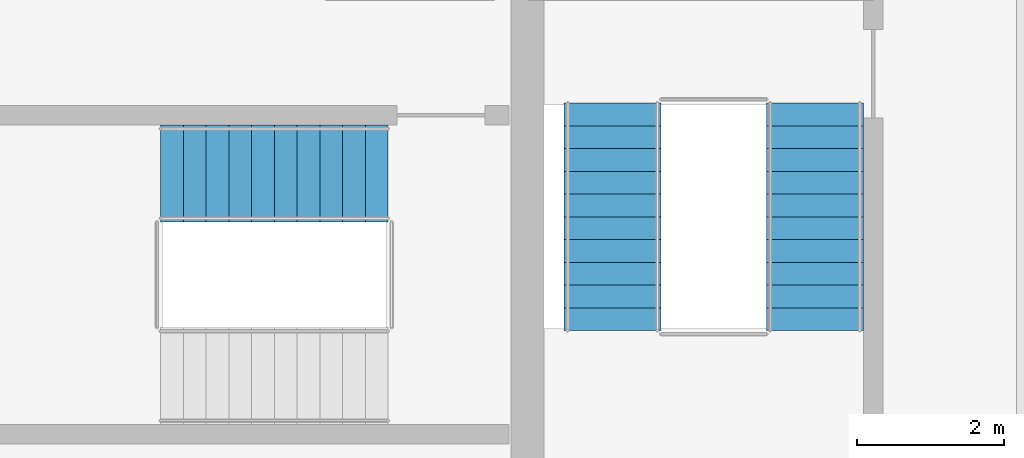
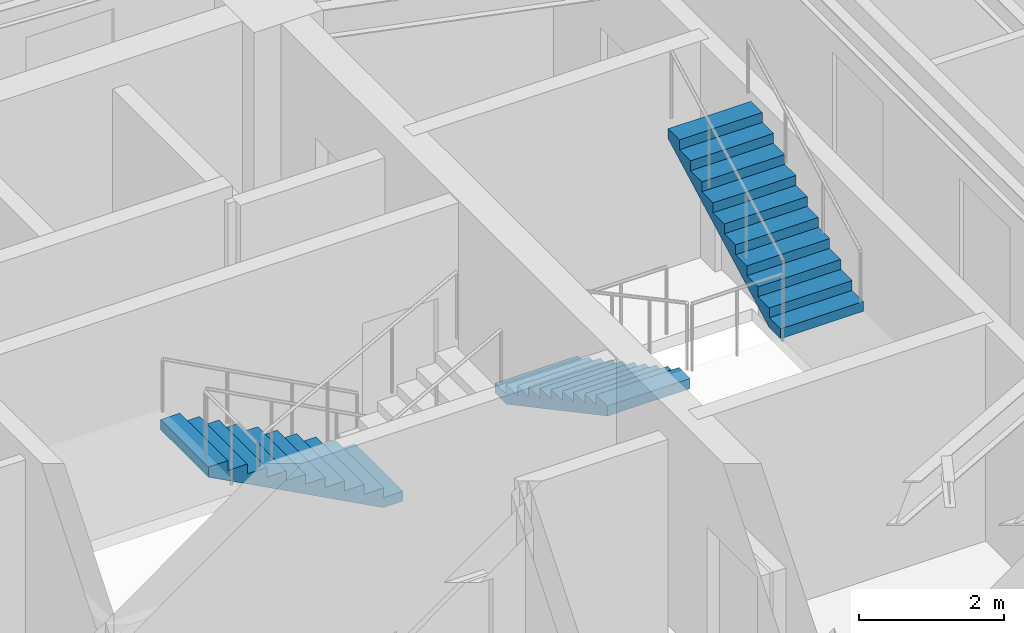
# One storey, part 11 of 13: 3 stair flights, 2 elements without a shape of their own.
"""IFC4 building model written with IfcOpenShell, lengths in metres."""

import ifcopenshell
import ifcopenshell.guid

model = None  # the IFC model being written
_history = None  # IfcOwnerHistory: only IFC2X3 demands one
_inside = {}  # id of a spatial element -> (the spatial element, [elements in it])
_under = {}  # id of a project, library or spatial element -> (it, [spatial elements below it])
_declared = {}  # id of a project -> (the project, [libraries it declares])
_typed = {}  # id of a type object -> (the type object, [elements of that type])
_made_of = {}  # id of a material, layer set ... -> (it, [elements and type objects made of it])


def new_model(schema):
    """Start an empty IFC model of exactly this schema.

    Asked for "IFC4X3", IfcOpenShell would pick the latest addendum, in which some entities
    have other attributes; the version numbers below select the first issue.
    IFC2X3 requires an IfcOwnerHistory on every rooted entity: one is made here for all.
    """
    global model, _history
    if schema == "IFC4X3":
        model = ifcopenshell.file(schema_version=(4, 3, 0, 0))
    else:
        model = ifcopenshell.file(schema=schema)
    _inside.clear()
    _under.clear()
    _declared.clear()
    _typed.clear()
    _made_of.clear()
    _history = None
    if model.schema == "IFC2X3":
        org = make("IfcOrganization", Name="unknown")
        user = make(
            "IfcPersonAndOrganization",
            ThePerson=make("IfcPerson", FamilyName="unknown"),
            TheOrganization=org,
        )
        app = make(
            "IfcApplication",
            ApplicationDeveloper=org,
            Version="unknown",
            ApplicationFullName="unknown",
            ApplicationIdentifier="unknown",
        )
        _history = make(
            "IfcOwnerHistory",
            OwningUser=user,
            OwningApplication=app,
            ChangeAction="ADDED",
            CreationDate=0,
        )
    return model


def make(cls, **values):
    """One entity of the class cls with the attributes given. An attribute that is None is left unset."""
    return model.create_entity(
        cls, **{name: value for name, value in values.items() if value is not None}
    )


def rooted(cls, **values):
    """An entity with a GlobalId (a new one), such as an element, a storey or a relation."""
    return make(cls, GlobalId=ifcopenshell.guid.new(), OwnerHistory=_history, **values)


def si_unit(unit_type, name, prefix=None):
    """IfcSIUnit, for example si_unit("LENGTHUNIT", "METRE", prefix="MILLI")."""
    return make("IfcSIUnit", UnitType=unit_type, Prefix=prefix, Name=name)


def assignment(units):
    """IfcUnitAssignment: the units of a project."""
    return None if units is None else make("IfcUnitAssignment", Units=units)


def point(xyz):
    """IfcCartesianPoint."""
    return None if xyz is None else make("IfcCartesianPoint", Coordinates=xyz)


def direction(xyz):
    """IfcDirection."""
    return None if xyz is None else make("IfcDirection", DirectionRatios=xyz)


def frame(location, z_axis=None, x_axis=None):
    """IfcAxis2Placement3D, a coordinate frame: its origin and axes. An axis left out is left unset."""
    return make(
        "IfcAxis2Placement3D",
        Location=point(location),
        Axis=direction(z_axis),
        RefDirection=direction(x_axis),
    )


def origin():
    """The frame at (0, 0, 0) with its axes left unset."""
    return frame((0.0, 0.0, 0.0))


def place(relative_to, where):
    """IfcLocalPlacement: puts the frame where relative to a parent placement (None: the world)."""
    return make(
        "IfcLocalPlacement", PlacementRelTo=relative_to, RelativePlacement=where
    )


def context(
    kind, dimensions, precision=None, world=None, true_north=None, identifier=None
):
    """IfcGeometricRepresentationContext, for example the 3D "Model" context."""
    return make(
        "IfcGeometricRepresentationContext",
        ContextIdentifier=identifier,
        ContextType=kind,
        CoordinateSpaceDimension=dimensions,
        Precision=precision,
        WorldCoordinateSystem=world,
        TrueNorth=true_north,
    )


def subcontext(parent, identifier, kind, view, scale=None):
    """IfcGeometricRepresentationSubContext, for example "Body" below "Model"."""
    return make(
        "IfcGeometricRepresentationSubContext",
        ContextIdentifier=identifier,
        ContextType=kind,
        ParentContext=parent,
        TargetScale=scale,
        TargetView=view,
    )


def project(units=None, contexts=None):
    """IfcProject with its units and contexts."""
    return rooted(
        "IfcProject",
        Name="project",
        RepresentationContexts=contexts,
        UnitsInContext=assignment(units),
    )


def spatial(cls, under=None, at=None, **own):
    """A site, building, storey or space (cls), placed at a placement, below another one or the project."""
    s = rooted(cls, ObjectPlacement=at, **own)
    if under is not None:
        _under.setdefault(under.id(), (under, []))[1].append(s)
    return s


def polyline(points):
    """IfcPolyline through the points."""
    return make("IfcPolyline", Points=[point(p) for p in points])


def outline(outer, holes=None, kind="AREA"):
    """IfcArbitraryClosedProfileDef: a profile drawn as a closed curve; with holes, ...WithVoids."""
    if holes is None:
        return make("IfcArbitraryClosedProfileDef", ProfileType=kind, OuterCurve=outer)
    return make(
        "IfcArbitraryProfileDefWithVoids",
        ProfileType=kind,
        OuterCurve=outer,
        InnerCurves=holes,
    )


def extrude(swept, where, along, depth):
    """IfcExtrudedAreaSolid: the profile swept, set in the frame where, extruded along a direction by depth."""
    return make(
        "IfcExtrudedAreaSolid",
        SweptArea=swept,
        Position=where,
        ExtrudedDirection=direction(along),
        Depth=depth,
    )


def shape(context_of_items, identifier, shape_type, items):
    """IfcShapeRepresentation: the items that make up one representation, for example the "Body"."""
    return make(
        "IfcShapeRepresentation",
        ContextOfItems=context_of_items,
        RepresentationIdentifier=identifier,
        RepresentationType=shape_type,
        Items=items,
    )


def material(Name=None, Category=None):
    """IfcMaterial."""
    return make("IfcMaterial", Name=Name, Category=Category)


def made_of(thing, what):
    """Note that an element or type object is made of a material, layer set ...; save() writes the relation."""
    if what is not None:
        _made_of.setdefault(what.id(), (what, []))[1].append(thing)
    return thing


def type_object(cls, material=None, **own):
    """A type object (cls), such as IfcWallType, which elements share."""
    return made_of(rooted(cls, **own), material)


def element(
    cls,
    number,
    at=None,
    inside=None,
    cuts=None,
    type_object=None,
    material=None,
    context=None,
    identifier="Body",
    shape_type=None,
    held_by="IfcProductDefinitionShape",
    body=None,
    shapes=None,
    **own,
):
    """One element of the class cls, such as IfcWall. Its Tag is "e" and its number.

    at: its placement. inside: the storey or other place that contains it. cuts: it is an
    opening in that element (IfcRelVoidsElement). A single representation is given by context,
    identifier, shape_type and body (its items); several are given by shapes. held_by: the class
    of the entity that holds the representations. save() writes the other relations.
    """
    e = rooted(cls, Tag="e%d" % number, ObjectPlacement=at, **own)
    if body is not None:
        shapes = [shape(context, identifier, shape_type, body)]
    if shapes is not None:
        e.Representation = make(held_by, Representations=shapes)
    if inside is not None:
        _inside.setdefault(inside.id(), (inside, []))[1].append(e)
    if cuts is not None:
        rooted(
            "IfcRelVoidsElement", RelatingBuildingElement=cuts, RelatedOpeningElement=e
        )
    if type_object is not None:
        _typed.setdefault(type_object.id(), (type_object, []))[1].append(e)
    return made_of(e, material)


def aggregate(whole, parts):
    """IfcRelAggregates: a whole, such as a stair, and the parts it consists of."""
    return rooted("IfcRelAggregates", RelatingObject=whole, RelatedObjects=parts)


def save(model, path):
    """Write the relations noted so far, then the file.

    IfcRelAggregates (storeys below a building ...), IfcRelContainedInSpatialStructure (elements
    in a storey), IfcRelDefinesByType, IfcRelAssociatesMaterial and IfcRelDeclares: one each for
    every whole, place, type object, material and project.
    """
    for whole, parts in _under.values():
        aggregate(whole, parts)
    for where, things in _inside.values():
        rooted(
            "IfcRelContainedInSpatialStructure",
            RelatedElements=things,
            RelatingStructure=where,
        )
    for kind, things in _typed.values():
        rooted("IfcRelDefinesByType", RelatedObjects=things, RelatingType=kind)
    for what, things in _made_of.values():
        rooted("IfcRelAssociatesMaterial", RelatedObjects=things, RelatingMaterial=what)
    for by, libraries in _declared.values():
        rooted("IfcRelDeclares", RelatingContext=by, RelatedDefinitions=libraries)
    model.write(path)


model = new_model("IFC4")

# Units and contexts
model_context = context("Model", 3, precision=1e-05, world=origin(), true_north=direction((0.0, 1.0)))
body_context = subcontext(model_context, "Body", "Model", "MODEL_VIEW")
ifc_project = project(units=[si_unit("LENGTHUNIT", "METRE"), si_unit("AREAUNIT", "SQUARE_METRE"), si_unit("VOLUMEUNIT", "CUBIC_METRE"), si_unit("PLANEANGLEUNIT", "RADIAN"), si_unit("MASSUNIT", "GRAM", prefix="KILO")], contexts=[model_context])

# Site, building, storey
site_placement = place(None, origin())
site = spatial("IfcSite", under=ifc_project, at=site_placement, CompositionType="ELEMENT")
building_placement = place(site_placement, origin())
building = spatial("IfcBuilding", under=site, at=building_placement, Name="Lazwardi Medical Tower", CompositionType="ELEMENT")
storey_placement = place(building_placement, frame((0.0, 0.0, 276.912109375)))
storey = spatial("IfcBuildingStorey", under=building, at=storey_placement, Name="L72", CompositionType="ELEMENT", Elevation=276.912109375)

# Stair, stair flight
ifc_material = material(Name="Concrete C45/55", Category="concrete")
stair_type = type_object("IfcStairType", Name="STR-WRD", PredefinedType="HALF_TURN_STAIR", material=ifc_material)
stair_1_placement = place(storey_placement, origin())
stair_1 = element("IfcStair", 1, at=stair_1_placement, inside=storey, type_object=stair_type, Name="L72 Protected Exit Stair ST2", PredefinedType="HALF_TURN_STAIR")
stair_flight_type = type_object("IfcStairFlightType", Name="FLT-WRD", PredefinedType="STRAIGHT", material=ifc_material)
stair_flight_1_placement = place(storey_placement, frame((43.800048828125, 29.43994140625, 0.0), z_axis=(0.0, 0.0, 1.0), x_axis=(-1.0, 0.0, 0.0)))
stair_flight_1 = element("IfcStairFlight", 2, at=stair_flight_1_placement, type_object=stair_flight_type, Name="ST2 flight 1", NumberOfRisers=11, NumberOfTreads=10, PredefinedType="STRAIGHT", RiserHeight=0.165818182, TreadLength=0.31, context=body_context, shape_type="SweptSolid", body=[
    extrude(outline(polyline([(0.0, 0.0), (0.0, 0.165771484375), (0.31005859375, 0.165771484375), (0.31005859375, 0.33154296875), (0.6201171875, 0.33154296875), (0.6201171875, 0.49755859375), (0.929931640625, 0.49755859375), (0.929931640625, 0.663330078125), (1.239990234375, 0.663330078125), (1.239990234375, 0.8291015625), (1.550048828125, 0.8291015625), (1.550048828125, 0.994873046875), (1.860107421875, 0.994873046875), (1.860107421875, 1.16064453125), (2.169921875, 1.16064453125), (2.169921875, 1.32666015625), (2.47998046875, 1.32666015625), (2.47998046875, 1.492431640625), (2.7900390625, 1.492431640625), (2.7900390625, 1.658203125), (3.10009765625, 1.658203125), (3.10009765625, 1.823974609375), (3.10009765625, 1.48828125), (0.31787109375, 0.0), (0.0, 0.0)])), frame((0.0, 0.66015625, 0.0), z_axis=(0.0, -1.0, 0.0), x_axis=(1.0, 0.0, 0.0)), (0.0, 0.0, 1.0), 1.320068359375),
])
aggregate(stair_1, [stair_flight_1])

# Stair, stair flights
stair_2_placement = place(storey_placement, origin())
stair_2 = element("IfcStair", 3, at=stair_2_placement, inside=storey, type_object=stair_type, Name="L72 Protected Exit Stair ST3", PredefinedType="HALF_TURN_STAIR")
stair_flight_2_placement = place(storey_placement, frame((46.860107421875, 30.39990234375, 0.0), z_axis=(0.0, 0.0, 1.0), x_axis=(0.0, -1.0, 0.0)))
stair_flight_2 = element("IfcStairFlight", 4, at=stair_flight_2_placement, type_object=stair_flight_type, Name="ST3 flight 1", NumberOfRisers=11, NumberOfTreads=10, PredefinedType="STRAIGHT", RiserHeight=0.165818182, TreadLength=0.31, context=body_context, shape_type="SweptSolid", body=[
    extrude(outline(polyline([(0.0, 0.0), (0.0, 0.165771484375), (0.31005859375, 0.165771484375), (0.31005859375, 0.33154296875), (0.6201171875, 0.33154296875), (0.6201171875, 0.49755859375), (0.929931640625, 0.49755859375), (0.929931640625, 0.663330078125), (1.239990234375, 0.663330078125), (1.239990234375, 0.8291015625), (1.550048828125, 0.8291015625), (1.550048828125, 0.994873046875), (1.860107421875, 0.994873046875), (1.860107421875, 1.16064453125), (2.169921875, 1.16064453125), (2.169921875, 1.32666015625), (2.47998046875, 1.32666015625), (2.47998046875, 1.492431640625), (2.7900390625, 1.492431640625), (2.7900390625, 1.658203125), (3.10009765625, 1.658203125), (3.10009765625, 1.823974609375), (3.10009765625, 1.48828125), (0.31787109375, 0.0), (0.0, 0.0)])), frame((0.0, 0.66015625, 0.0), z_axis=(0.0, -1.0, 0.0), x_axis=(1.0, 0.0, 0.0)), (0.0, 0.0, 1.0), 1.320068359375),
])
stair_flight_3_placement = place(storey_placement, frame((49.6201171875, 27.300048828125, 1.823974609375), z_axis=(0.0, 0.0, 1.0), x_axis=(0.0, 1.0, 0.0)))
stair_flight_3 = element("IfcStairFlight", 5, at=stair_flight_3_placement, type_object=stair_flight_type, Name="ST3 flight 2", NumberOfRisers=11, NumberOfTreads=10, PredefinedType="STRAIGHT", RiserHeight=0.165818182, TreadLength=0.31, context=body_context, shape_type="SweptSolid", body=[
    extrude(outline(polyline([(0.0, 0.0), (0.0, 0.165771484375), (0.31005859375, 0.165771484375), (0.31005859375, 0.33154296875), (0.6201171875, 0.33154296875), (0.6201171875, 0.49755859375), (0.929931640625, 0.49755859375), (0.929931640625, 0.663330078125), (1.239990234375, 0.663330078125), (1.239990234375, 0.8291015625), (1.550048828125, 0.8291015625), (1.550048828125, 0.994873046875), (1.860107421875, 0.994873046875), (1.860107421875, 1.16064453125), (2.169921875, 1.16064453125), (2.169921875, 1.32666015625), (2.47998046875, 1.32666015625), (2.47998046875, 1.492431640625), (2.7900390625, 1.492431640625), (2.7900390625, 1.658203125), (3.10009765625, 1.658203125), (3.10009765625, 1.823974609375), (3.10009765625, 1.48828125), (0.31787109375, 0.0), (0.0, 0.0)])), frame((0.0, 0.66015625, 0.0), z_axis=(0.0, -1.0, 0.0), x_axis=(1.0, 0.0, 0.0)), (0.0, 0.0, 1.0), 1.320068359375),
])
aggregate(stair_2, [stair_flight_2, stair_flight_3])

save(model, "model.ifc")
